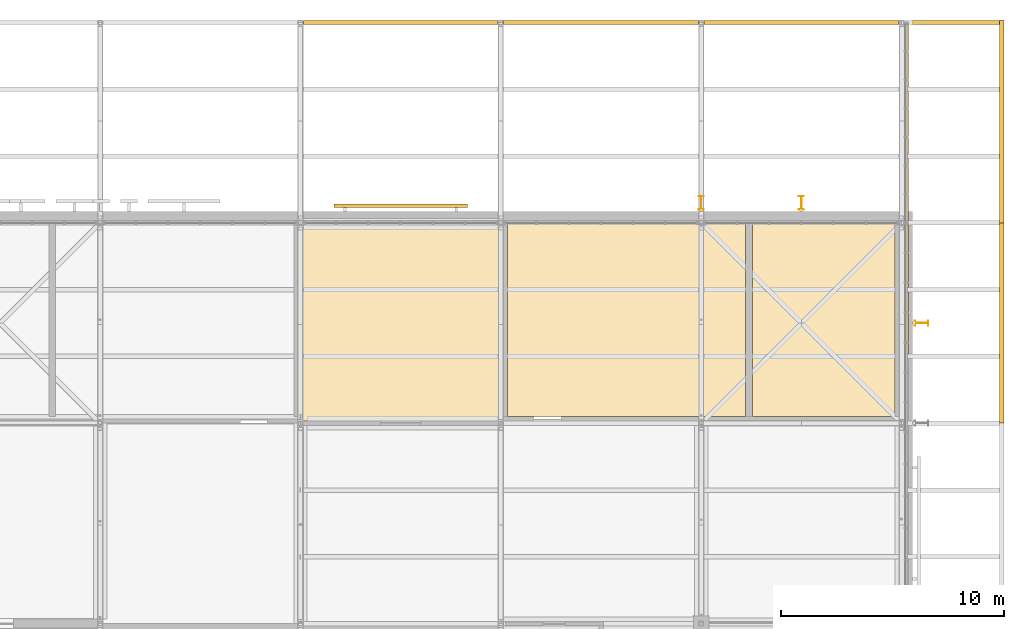
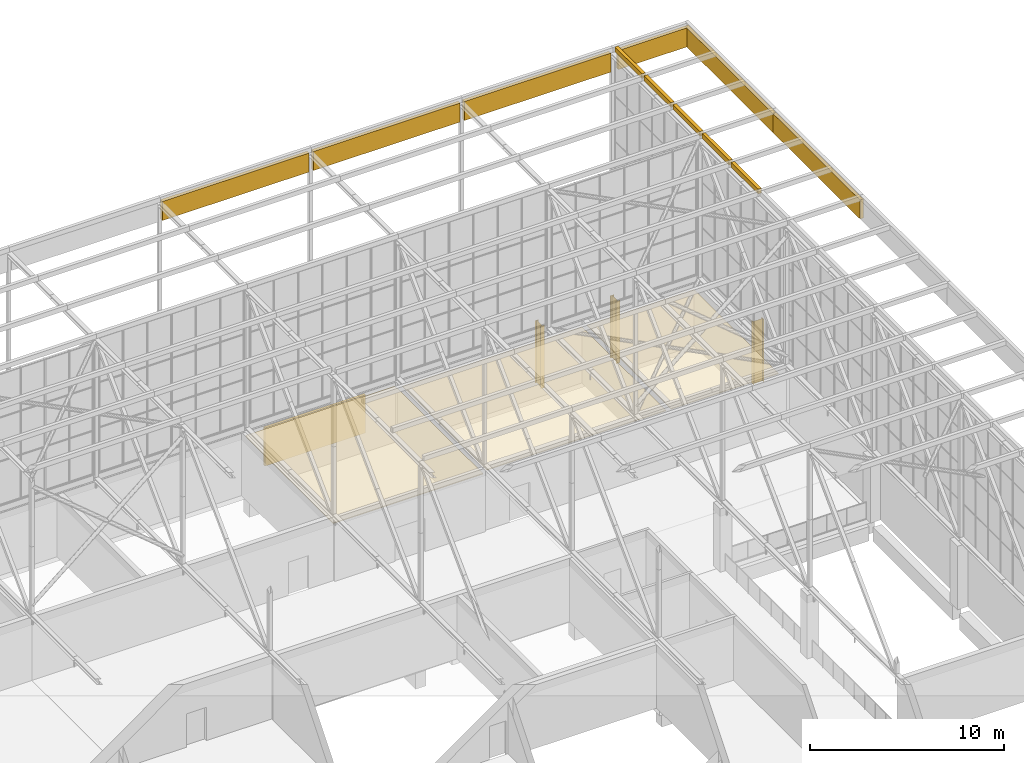
# One storey, part 644 of 646: 14 coverings, 4 shading devices.
"""IFC4 building model written with IfcOpenShell, lengths in metres."""

from ifc_helpers import new_model, si_unit, direction, frame, origin, origin_2d, place, context, subcontext, project, spatial, polyline, rectangle, i_section, outline, extrude, material, layer, layer_set, material_profile, profile_set, type_object, element, save


model = new_model("IFC4")

# Units and contexts
model_context = context("Model", 3, precision=1e-05, world=origin(), true_north=direction((0.0, 1.0)))
body_context = subcontext(model_context, "Body", "Model", "MODEL_VIEW")
ifc_project = project(units=[si_unit("LENGTHUNIT", "METRE"), si_unit("AREAUNIT", "SQUARE_METRE"), si_unit("VOLUMEUNIT", "CUBIC_METRE"), si_unit("PLANEANGLEUNIT", "RADIAN"), si_unit("MASSUNIT", "GRAM", prefix="KILO")], contexts=[model_context])

# Site, building, storey
site_placement = place(None, origin())
site = spatial("IfcSite", under=ifc_project, at=site_placement, CompositionType="ELEMENT")
building_placement = place(site_placement, origin())
building = spatial("IfcBuilding", under=site, at=building_placement, Name="Silverbay Arena", CompositionType="ELEMENT")
storey_placement = place(building_placement, frame((0.0, 0.0, 33.5)))
storey = spatial("IfcBuildingStorey", under=building, at=storey_placement, Name="L05", CompositionType="ELEMENT", Elevation=33.5)

# Coverings
ifc_material_1 = material(Name="Fire-resisting board ceiling")
ifc_layer_1 = layer(ifc_material_1, 0.050048828125)
ifc_layer_set_1 = layer_set([ifc_layer_1], Name="Fire-resisting board ceiling")
covering_type_1 = type_object("IfcCoveringType", Name="Fire-resisting ceiling EI 120", PredefinedType="CEILING", material=ifc_layer_set_1)
covering_1_placement = place(storey_placement, frame((0.0, 0.0, 3.5)))
element("IfcCovering", 1, at=covering_1_placement, inside=storey, type_object=covering_type_1, Name="Fire-resisting ceiling 22", PredefinedType="CEILING", context=body_context, shape_type="SweptSolid", body=[
    extrude(outline(polyline([(188.93994140625, 144.02001953125), (188.93994140625, 144.199951171875), (180.06005859375, 144.199951171875), (180.06005859375, 144.02001953125), (180.030029296875, 144.02001953125), (180.030029296875, 135.10009765625), (188.969970703125, 135.10009765625), (188.969970703125, 144.02001953125), (188.93994140625, 144.02001953125)])), origin(), (0.0, 0.0, 1.0), 0.050048828125),
])
covering_2_placement = place(storey_placement, frame((0.0, 0.0, 3.5)))
element("IfcCovering", 2, at=covering_2_placement, inside=storey, type_object=covering_type_1, Name="Fire-resisting ceiling 59", PredefinedType="CEILING", context=body_context, shape_type="SweptSolid", body=[
    extrude(outline(polyline([(189.300048828125, 144.0), (189.300048828125, 135.300048828125), (200.0, 135.300048828125), (200.0, 144.0), (189.300048828125, 144.0)])), origin(), (0.0, 0.0, 1.0), 0.050048828125),
])
covering_3_placement = place(storey_placement, frame((0.0, 0.0, 3.5)))
element("IfcCovering", 3, at=covering_3_placement, inside=storey, type_object=covering_type_1, Name="Fire-resisting ceiling 60", PredefinedType="CEILING", context=body_context, shape_type="SweptSolid", body=[
    extrude(outline(polyline([(200.300048828125, 144.0), (200.300048828125, 135.300048828125), (206.699951171875, 135.300048828125), (206.699951171875, 144.0), (200.300048828125, 144.0)])), origin(), (0.0, 0.0, 1.0), 0.050048828125),
])
ifc_material_2 = material(Name="Insulated metal cladding panel")
ifc_layer_2 = layer(ifc_material_2, 0.199951171875)
ifc_layer_set_2 = layer_set([ifc_layer_2], Name="Insulated metal cladding panel")
covering_type_2 = type_object("IfcCoveringType", Name="Gable head closer 200", PredefinedType="CLADDING", material=ifc_layer_set_2)
covering_4_placement = place(storey_placement, frame((0.0, 0.0, 13.0)))
element("IfcCovering", 4, at=covering_4_placement, inside=storey, type_object=covering_type_2, Name="ROOF GABLE HEAD CLOSER east 44", PredefinedType="CLADDING", context=body_context, shape_type="SweptSolid", body=[
    extrude(outline(polyline([(207.110107421875, 138.10009765625), (207.31005859375, 138.10009765625), (207.31005859375, 140.89990234375), (207.110107421875, 140.89990234375), (207.110107421875, 138.10009765625)])), origin(), (0.0, 0.0, 1.0), 0.300048828125),
])
covering_5_placement = place(storey_placement, frame((0.0, 0.0, 13.0)))
element("IfcCovering", 5, at=covering_5_placement, inside=storey, type_object=covering_type_2, Name="ROOF GABLE HEAD CLOSER east 45", PredefinedType="CLADDING", context=body_context, shape_type="SweptSolid", body=[
    extrude(outline(polyline([(207.110107421875, 141.10009765625), (207.31005859375, 141.10009765625), (207.31005859375, 143.89990234375), (207.110107421875, 143.89990234375), (207.110107421875, 141.10009765625)])), origin(), (0.0, 0.0, 1.0), 0.300048828125),
])
covering_6_placement = place(storey_placement, frame((0.0, 0.0, 13.0)))
element("IfcCovering", 6, at=covering_6_placement, inside=storey, type_object=covering_type_2, Name="ROOF GABLE HEAD CLOSER east 46", PredefinedType="CLADDING", context=body_context, shape_type="SweptSolid", body=[
    extrude(outline(polyline([(207.110107421875, 144.10009765625), (207.31005859375, 144.10009765625), (207.31005859375, 146.89990234375), (207.110107421875, 146.89990234375), (207.110107421875, 144.10009765625)])), origin(), (0.0, 0.0, 1.0), 0.300048828125),
])
covering_7_placement = place(storey_placement, frame((0.0, 0.0, 13.0)))
element("IfcCovering", 7, at=covering_7_placement, inside=storey, type_object=covering_type_2, Name="ROOF GABLE HEAD CLOSER east 47", PredefinedType="CLADDING", context=body_context, shape_type="SweptSolid", body=[
    extrude(outline(polyline([(207.110107421875, 147.10009765625), (207.31005859375, 147.10009765625), (207.31005859375, 149.89990234375), (207.110107421875, 149.89990234375), (207.110107421875, 147.10009765625)])), origin(), (0.0, 0.0, 1.0), 0.300048828125),
])
covering_8_placement = place(storey_placement, frame((0.0, 0.0, 13.0)))
element("IfcCovering", 8, at=covering_8_placement, inside=storey, type_object=covering_type_2, Name="ROOF GABLE HEAD CLOSER east 48", PredefinedType="CLADDING", context=body_context, shape_type="SweptSolid", body=[
    extrude(outline(polyline([(207.110107421875, 150.10009765625), (207.31005859375, 150.10009765625), (207.31005859375, 152.89990234375), (207.110107421875, 152.89990234375), (207.110107421875, 150.10009765625)])), origin(), (0.0, 0.0, 1.0), 0.300048828125),
])

# Shading device
ifc_material_3 = material(Name="Aluminium", Category="aluminium")
shading_device_type_1 = type_object("IfcShadingDeviceType", Name="Louvre screen 6000 x 2400", PredefinedType="JALOUSIE", material=ifc_material_3)
shading_device_placement = place(storey_placement, frame((184.5, 144.77490234375, 0.800048828125), z_axis=(0.0, 0.0, 1.0), x_axis=(1.0, 0.0, 0.0)))
element("IfcShadingDevice", 9, at=shading_device_placement, inside=storey, type_object=shading_device_type_1, Name="North plant louvre L05 bay 15", PredefinedType="JALOUSIE", context=body_context, shape_type="SweptSolid", body=[
    extrude(rectangle(XDim=6.0, YDim=0.14990234375, at=origin_2d()), origin(), (0.0, 0.0, 1.0), 2.39990234375),
])

# Coverings
ifc_material_4 = material(Name="Insulated metal cladding panel")
ifc_layer_3 = layer(ifc_material_4, 0.199951171875)
ifc_layer_set_3 = layer_set([ifc_layer_3], Name="Insulated metal cladding panel")
covering_type_3 = type_object("IfcCoveringType", Name="Roof edge fascia 200", PredefinedType="CLADDING", material=ifc_layer_set_3)
covering_9_placement = place(storey_placement, frame((0.0, 0.0, 11.800048828125)))
element("IfcCovering", 10, at=covering_9_placement, inside=storey, type_object=covering_type_3, Name="ROOF EDGE FASCIA north bay 15", PredefinedType="CLADDING", context=body_context, shape_type="SweptSolid", body=[
    extrude(outline(polyline([(180.127197265625, 152.89990234375), (188.872802734375, 152.89990234375), (188.872802734375, 153.10009765625), (180.127197265625, 153.10009765625), (180.127197265625, 152.89990234375)])), origin(), (0.0, 0.0, 1.0), 1.199951171875),
])
covering_10_placement = place(storey_placement, frame((0.0, 0.0, 11.800048828125)))
element("IfcCovering", 11, at=covering_10_placement, inside=storey, type_object=covering_type_3, Name="ROOF EDGE FASCIA north bay 16", PredefinedType="CLADDING", context=body_context, shape_type="SweptSolid", body=[
    extrude(outline(polyline([(189.127197265625, 152.89990234375), (197.872802734375, 152.89990234375), (197.872802734375, 153.10009765625), (189.127197265625, 153.10009765625), (189.127197265625, 152.89990234375)])), origin(), (0.0, 0.0, 1.0), 1.199951171875),
])
covering_11_placement = place(storey_placement, frame((0.0, 0.0, 11.800048828125)))
element("IfcCovering", 12, at=covering_11_placement, inside=storey, type_object=covering_type_3, Name="ROOF EDGE FASCIA north bay 17", PredefinedType="CLADDING", context=body_context, shape_type="SweptSolid", body=[
    extrude(outline(polyline([(198.127197265625, 152.89990234375), (206.872802734375, 152.89990234375), (206.872802734375, 153.10009765625), (198.127197265625, 153.10009765625), (198.127197265625, 152.89990234375)])), origin(), (0.0, 0.0, 1.0), 1.199951171875),
])
covering_12_placement = place(storey_placement, frame((0.0, 0.0, 11.800048828125)))
element("IfcCovering", 13, at=covering_12_placement, inside=storey, type_object=covering_type_3, Name="ROOF EDGE FASCIA east bay 15", PredefinedType="CLADDING", context=body_context, shape_type="SweptSolid", body=[
    extrude(outline(polyline([(211.39990234375, 135.0), (211.60009765625, 135.0), (211.60009765625, 144.0), (211.39990234375, 144.0), (211.39990234375, 135.0)])), origin(), (0.0, 0.0, 1.0), 1.199951171875),
])
covering_13_placement = place(storey_placement, frame((0.0, 0.0, 11.800048828125)))
element("IfcCovering", 14, at=covering_13_placement, inside=storey, type_object=covering_type_3, Name="ROOF EDGE FASCIA east bay 16", PredefinedType="CLADDING", context=body_context, shape_type="SweptSolid", body=[
    extrude(outline(polyline([(211.39990234375, 144.0), (211.60009765625, 144.0), (211.60009765625, 153.10009765625), (211.39990234375, 153.10009765625), (211.39990234375, 144.0)])), origin(), (0.0, 0.0, 1.0), 1.199951171875),
])
covering_14_placement = place(storey_placement, frame((0.0, 0.0, 11.800048828125)))
element("IfcCovering", 15, at=covering_14_placement, inside=storey, type_object=covering_type_3, Name="ROOF EDGE FASCIA north east return", PredefinedType="CLADDING", context=body_context, shape_type="SweptSolid", body=[
    extrude(outline(polyline([(207.31005859375, 152.89990234375), (211.39990234375, 152.89990234375), (211.39990234375, 153.10009765625), (207.31005859375, 153.10009765625), (207.31005859375, 152.89990234375)])), origin(), (0.0, 0.0, 1.0), 1.199951171875),
])

# Shading devices
ifc_material_5 = material(Name="Steel S355", Category="steel")
ifc_material_profile = material_profile(ifc_material_5, i_section(OverallWidth=0.2275390625, OverallDepth=0.6025390625, WebThickness=0.010498046875, FlangeThickness=0.014892578125, at=origin_2d()), Name="UB 610x229x101")
ifc_profile_set = profile_set([ifc_material_profile], Name="Steel S355")
shading_device_type_2 = type_object("IfcShadingDeviceType", Name="Steel fin UB 610x229x101", PredefinedType="USERDEFINED", material=ifc_profile_set)
for number, where, z_axis, x_axis, name in (
    (16, (207.9013671875, 139.5, 0.0), (0.0, 0.0, 1.0), (0.0, 1.0, 0.0), "Steel fin E L05 27"),
    (17, (198.0, 144.9013671875, 0.0), (0.0, 0.0, 1.0), (1.0, 0.0, 0.0), "Steel fin N L05 32"),
    (18, (202.5, 144.9013671875, 0.0), (0.0, 0.0, 1.0), (1.0, 0.0, 0.0), "Steel fin N L05 33"),
):
    element("IfcShadingDevice", number, at=place(storey_placement, frame(where, z_axis=z_axis, x_axis=x_axis)), inside=storey, type_object=shading_device_type_2, Name=name, ObjectType="FIN", PredefinedType="USERDEFINED", context=body_context, shape_type="SweptSolid", body=[
        extrude(i_section(OverallWidth=0.2275390625, OverallDepth=0.6025390625, WebThickness=0.010498046875, FlangeThickness=0.014892578125, at=origin_2d()), origin(), (0.0, 0.0, 1.0), 3.93994140625),
    ])

save(model, "model.ifc")
